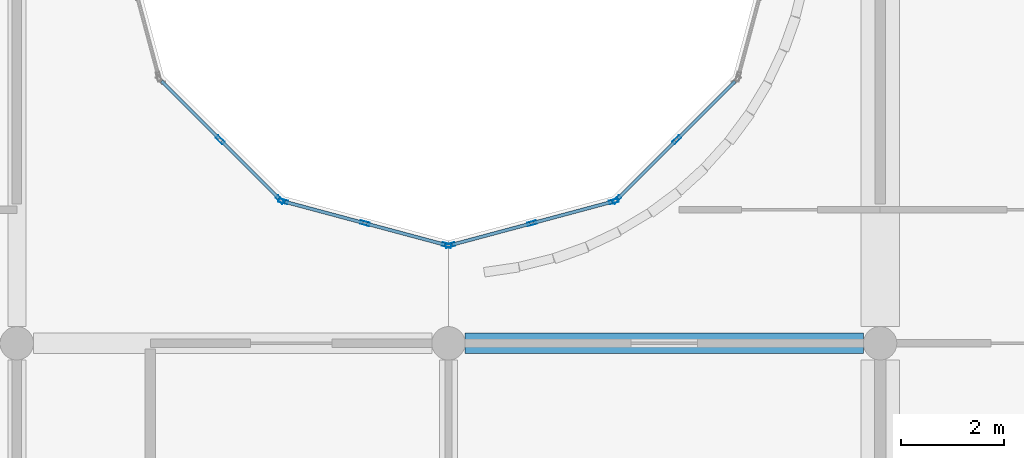
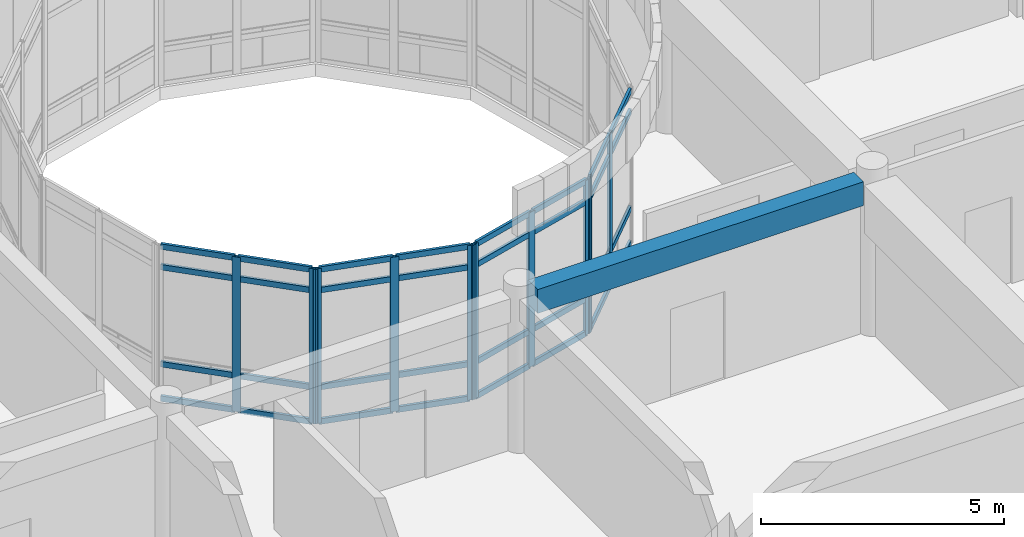
# One storey, part 15 of 119: 42 members, 1 beam, 4 elements without a shape of their own.
"""IFC4 building model written with IfcOpenShell, lengths in metres."""

from ifc_helpers import new_model, si_unit, direction, frame, origin, origin_2d, place, context, subcontext, project, spatial, rectangle, hollow_rectangle, extrude, material, layer, layer_set, material_profile, profile_set, type_object, element, aggregate, save


model = new_model("IFC4")

# Units and contexts
model_context = context("Model", 3, precision=1e-05, world=origin(), true_north=direction((0.0, 1.0)))
body_context = subcontext(model_context, "Body", "Model", "MODEL_VIEW")
ifc_project = project(units=[si_unit("LENGTHUNIT", "METRE"), si_unit("AREAUNIT", "SQUARE_METRE"), si_unit("VOLUMEUNIT", "CUBIC_METRE"), si_unit("PLANEANGLEUNIT", "RADIAN"), si_unit("MASSUNIT", "GRAM", prefix="KILO")], contexts=[model_context])

# Site, building, storey
site_placement = place(None, origin())
site = spatial("IfcSite", under=ifc_project, at=site_placement, CompositionType="ELEMENT")
building_placement = place(site_placement, origin())
building = spatial("IfcBuilding", under=site, at=building_placement, Name="Bramfleet General Hospital", CompositionType="ELEMENT")
storey_placement = place(building_placement, frame((0.0, 0.0, 14.39990234375)))
storey = spatial("IfcBuildingStorey", under=building, at=storey_placement, Name="L03", CompositionType="ELEMENT", Elevation=14.39990234375)

# Beam
ifc_material_1 = material(Name="Concrete C35/45", Category="concrete")
ifc_material_profile_1 = material_profile(ifc_material_1, rectangle(XDim=0.39990234375, YDim=0.60009765625, at=origin_2d()), Name="RC BM 600x400")
ifc_profile_set_1 = profile_set([ifc_material_profile_1], Name="Concrete C35/45")
beam_type = type_object("IfcBeamType", Name="BM-RC600", PredefinedType="BEAM", material=ifc_profile_set_1)
beam_placement = place(storey_placement, frame((117.925048828125, 58.800048828125, 3.60009765625), z_axis=(1.0, 0.0, 0.0), x_axis=(0.0, 1.0, 0.0)))
element("IfcBeam", 1, at=beam_placement, inside=storey, type_object=beam_type, Name="L03 Grid Beam X 14-07", PredefinedType="BEAM", context=body_context, shape_type="SweptSolid", body=[
    extrude(rectangle(XDim=0.39990234375, YDim=0.60009765625, at=origin_2d()), origin(), (0.0, 0.0, 1.0), 7.75),
])

# Curtain wall, members
ifc_material_2 = material(Name="Anodised aluminium and low-E triple glazing", Category="aluminium")
ifc_layer_1 = layer(ifc_material_2, 0.179931640625, Name="CWT-CW-18")
ifc_layer_set_1 = layer_set([ifc_layer_1], Name="Anodised aluminium and low-E triple glazing")
curtain_wall_type_1 = type_object("IfcCurtainWallType", Name="CWT-CW-18", PredefinedType="USERDEFINED", material=ifc_layer_set_1)
curtain_wall_1_placement = place(storey_placement, origin())
curtain_wall_1 = element("IfcCurtainWall", 2, at=curtain_wall_1_placement, inside=storey, type_object=curtain_wall_type_1, Name="L03 East Laboratory Light Court Curtain Wall 2.1", ObjectType="Stick curtain wall", PredefinedType="USERDEFINED")
ifc_material_3 = material(Name="Anodised aluminium EN AW-6060", Category="aluminium")
ifc_material_profile_2 = material_profile(ifc_material_3, hollow_rectangle(XDim=0.070068359375, YDim=0.179931640625, WallThickness=0.00390625, at=origin_2d()), Name="ALU 180x70x4.0")
ifc_profile_set_2 = profile_set([ifc_material_profile_2], Name="Anodised aluminium EN AW-6060")
member_type_1 = type_object("IfcMemberType", Name="CWM-ALU180", PredefinedType="MULLION", material=ifc_profile_set_2)
member_1_placement = place(storey_placement, frame((113.160400390625, 62.760498046875, 0.0), z_axis=(0.0, 0.0, 1.0), x_axis=(0.707106781187, 0.707106781187, 0.0)))
member_1 = element("IfcMember", 3, at=member_1_placement, type_object=member_type_1, Name="CW-18 mullion 2", PredefinedType="MULLION", context=body_context, shape_type="SweptSolid", body=[
    extrude(hollow_rectangle(XDim=0.070068359375, YDim=0.179931640625, WallThickness=0.00390625, at=origin_2d()), origin(), (0.0, 0.0, 1.0), 3.89013671875),
])
member_2_placement = place(storey_placement, frame((114.3251953125, 61.595703125, 0.0), z_axis=(0.0, 0.0, 1.0), x_axis=(0.707106781187, 0.707106781187, 0.0)))
member_2 = element("IfcMember", 4, at=member_2_placement, type_object=member_type_1, Name="CW-18 mullion 3", PredefinedType="MULLION", context=body_context, shape_type="SweptSolid", body=[
    extrude(hollow_rectangle(XDim=0.070068359375, YDim=0.179931640625, WallThickness=0.00390625, at=origin_2d()), origin(), (0.0, 0.0, 1.0), 3.89013671875),
])

ifc_layer_2 = layer(ifc_material_2, 0.179931640625, Name="CWT-CW-11")
ifc_layer_set_2 = layer_set([ifc_layer_2], Name="Anodised aluminium and low-E triple glazing")
curtain_wall_type_2 = type_object("IfcCurtainWallType", Name="CWT-CW-11", PredefinedType="USERDEFINED", material=ifc_layer_set_2)
curtain_wall_2_placement = place(storey_placement, origin())
curtain_wall_2 = element("IfcCurtainWall", 5, at=curtain_wall_2_placement, inside=storey, type_object=curtain_wall_type_2, Name="L03 East Laboratory Light Court Curtain Wall 3.1", ObjectType="Stick curtain wall", PredefinedType="USERDEFINED")
member_3_placement = place(storey_placement, frame((114.3837890625, 61.56201171875, 0.0), z_axis=(0.0, 0.0, 1.0), x_axis=(0.258864833085, 0.965913556273, 0.0)))
member_3 = element("IfcMember", 6, at=member_3_placement, type_object=member_type_1, Name="CW-11 mullion 1", PredefinedType="MULLION", context=body_context, shape_type="SweptSolid", body=[
    extrude(hollow_rectangle(XDim=0.070068359375, YDim=0.179931640625, WallThickness=0.00390625, at=origin_2d()), origin(), (0.0, 0.0, 1.0), 3.89013671875),
])
member_4_placement = place(storey_placement, frame((115.97509765625, 61.135498046875, 0.0), z_axis=(0.0, 0.0, 1.0), x_axis=(0.258864833085, 0.965913556273, 0.0)))
member_4 = element("IfcMember", 7, at=member_4_placement, type_object=member_type_1, Name="CW-11 mullion 2", PredefinedType="MULLION", context=body_context, shape_type="SweptSolid", body=[
    extrude(hollow_rectangle(XDim=0.070068359375, YDim=0.179931640625, WallThickness=0.00390625, at=origin_2d()), origin(), (0.0, 0.0, 1.0), 3.89013671875),
])
member_5_placement = place(storey_placement, frame((117.566162109375, 60.708984375, 0.0), z_axis=(0.0, 0.0, 1.0), x_axis=(0.258864833085, 0.965913556273, 0.0)))
member_5 = element("IfcMember", 8, at=member_5_placement, type_object=member_type_1, Name="CW-11 mullion 3", PredefinedType="MULLION", context=body_context, shape_type="SweptSolid", body=[
    extrude(hollow_rectangle(XDim=0.070068359375, YDim=0.179931640625, WallThickness=0.00390625, at=origin_2d()), origin(), (0.0, 0.0, 1.0), 3.89013671875),
])

ifc_layer_3 = layer(ifc_material_2, 0.179931640625, Name="CWT-CW-12")
ifc_layer_set_3 = layer_set([ifc_layer_3], Name="Anodised aluminium and low-E triple glazing")
curtain_wall_type_3 = type_object("IfcCurtainWallType", Name="CWT-CW-12", PredefinedType="USERDEFINED", material=ifc_layer_set_3)
curtain_wall_3_placement = place(storey_placement, origin())
curtain_wall_3 = element("IfcCurtainWall", 9, at=curtain_wall_3_placement, inside=storey, type_object=curtain_wall_type_3, Name="L03 East Laboratory Light Court Curtain Wall 4.1", ObjectType="Stick curtain wall", PredefinedType="USERDEFINED")
member_6_placement = place(storey_placement, frame((117.6337890625, 60.708984375, 0.0), z_axis=(0.0, 0.0, 1.0), x_axis=(-0.258864833085, 0.965913556273, 0.0)))
member_6 = element("IfcMember", 10, at=member_6_placement, type_object=member_type_1, Name="CW-12 mullion 1", PredefinedType="MULLION", context=body_context, shape_type="SweptSolid", body=[
    extrude(hollow_rectangle(XDim=0.070068359375, YDim=0.179931640625, WallThickness=0.00390625, at=origin_2d()), origin(), (0.0, 0.0, 1.0), 3.89013671875),
])
member_7_placement = place(storey_placement, frame((119.22509765625, 61.135498046875, 0.0), z_axis=(0.0, 0.0, 1.0), x_axis=(-0.258864833085, 0.965913556273, 0.0)))
member_7 = element("IfcMember", 11, at=member_7_placement, type_object=member_type_1, Name="CW-12 mullion 2", PredefinedType="MULLION", context=body_context, shape_type="SweptSolid", body=[
    extrude(hollow_rectangle(XDim=0.070068359375, YDim=0.179931640625, WallThickness=0.00390625, at=origin_2d()), origin(), (0.0, 0.0, 1.0), 3.89013671875),
])
member_8_placement = place(storey_placement, frame((120.816162109375, 61.56201171875, 0.0), z_axis=(0.0, 0.0, 1.0), x_axis=(-0.258864833085, 0.965913556273, 0.0)))
member_8 = element("IfcMember", 12, at=member_8_placement, type_object=member_type_1, Name="CW-12 mullion 3", PredefinedType="MULLION", context=body_context, shape_type="SweptSolid", body=[
    extrude(hollow_rectangle(XDim=0.070068359375, YDim=0.179931640625, WallThickness=0.00390625, at=origin_2d()), origin(), (0.0, 0.0, 1.0), 3.89013671875),
])

ifc_layer_4 = layer(ifc_material_2, 0.179931640625, Name="CWT-CW-13")
ifc_layer_set_4 = layer_set([ifc_layer_4], Name="Anodised aluminium and low-E triple glazing")
curtain_wall_type_4 = type_object("IfcCurtainWallType", Name="CWT-CW-13", PredefinedType="USERDEFINED", material=ifc_layer_set_4)
curtain_wall_4_placement = place(storey_placement, origin())
curtain_wall_4 = element("IfcCurtainWall", 13, at=curtain_wall_4_placement, inside=storey, type_object=curtain_wall_type_4, Name="L03 East Laboratory Light Court Curtain Wall 5.1", ObjectType="Stick curtain wall", PredefinedType="USERDEFINED")
member_9_placement = place(storey_placement, frame((120.874755859375, 61.595703125, 0.0), z_axis=(0.0, 0.0, 1.0), x_axis=(-0.707106781187, 0.707106781187, 0.0)))
member_9 = element("IfcMember", 14, at=member_9_placement, type_object=member_type_1, Name="CW-13 mullion 1", PredefinedType="MULLION", context=body_context, shape_type="SweptSolid", body=[
    extrude(hollow_rectangle(XDim=0.070068359375, YDim=0.179931640625, WallThickness=0.00390625, at=origin_2d()), origin(), (0.0, 0.0, 1.0), 3.89013671875),
])
member_10_placement = place(storey_placement, frame((122.03955078125, 62.760498046875, 0.0), z_axis=(0.0, 0.0, 1.0), x_axis=(-0.707106781187, 0.707106781187, 0.0)))
member_10 = element("IfcMember", 15, at=member_10_placement, type_object=member_type_1, Name="CW-13 mullion 2", PredefinedType="MULLION", context=body_context, shape_type="SweptSolid", body=[
    extrude(hollow_rectangle(XDim=0.070068359375, YDim=0.179931640625, WallThickness=0.00390625, at=origin_2d()), origin(), (0.0, 0.0, 1.0), 3.89013671875),
])

# Member
ifc_material_profile_3 = material_profile(ifc_material_3, hollow_rectangle(XDim=0.06494140625, YDim=0.139892578125, WallThickness=0.00390625, at=origin_2d()), Name="ALU 140x65x4.0")
ifc_profile_set_3 = profile_set([ifc_material_profile_3], Name="Anodised aluminium EN AW-6060")
member_type_2 = type_object("IfcMemberType", Name="CWT-ALU140", PredefinedType="USERDEFINED", material=ifc_profile_set_3)
member_11_placement = place(storey_placement, frame((112.0205078125, 63.900390625, 0.03271484375), z_axis=(0.707106781187, -0.707106781187, 0.0), x_axis=(0.707106781187, 0.707106781187, 0.0)))
member_11 = element("IfcMember", 16, at=member_11_placement, type_object=member_type_2, Name="CW-18 transom 1.1", ObjectType="TRANSOM", PredefinedType="USERDEFINED", context=body_context, shape_type="SweptSolid", body=[
    extrude(hollow_rectangle(XDim=0.06494140625, YDim=0.139892578125, WallThickness=0.00390625, at=origin_2d()), origin(), (0.0, 0.0, 1.0), 1.5771484375),
])

member_12_placement = place(storey_placement, frame((112.0205078125, 63.900390625, 0.900146484375), z_axis=(0.707106781187, -0.707106781187, 0.0), x_axis=(0.707106781187, 0.707106781187, 0.0)))
member_12 = element("IfcMember", 17, at=member_12_placement, type_object=member_type_2, Name="CW-18 transom 1.2", ObjectType="TRANSOM", PredefinedType="USERDEFINED", context=body_context, shape_type="SweptSolid", body=[
    extrude(hollow_rectangle(XDim=0.06494140625, YDim=0.139892578125, WallThickness=0.00390625, at=origin_2d()), origin(), (0.0, 0.0, 1.0), 1.5771484375),
])

member_13_placement = place(storey_placement, frame((112.0205078125, 63.900390625, 3.340087890625), z_axis=(0.707106781187, -0.707106781187, 0.0), x_axis=(0.707106781187, 0.707106781187, 0.0)))
member_13 = element("IfcMember", 18, at=member_13_placement, type_object=member_type_2, Name="CW-18 transom 1.3", ObjectType="TRANSOM", PredefinedType="USERDEFINED", context=body_context, shape_type="SweptSolid", body=[
    extrude(hollow_rectangle(XDim=0.06494140625, YDim=0.139892578125, WallThickness=0.00390625, at=origin_2d()), origin(), (0.0, 0.0, 1.0), 1.5771484375),
])

member_14_placement = place(storey_placement, frame((112.0205078125, 63.900390625, 3.857666015625), z_axis=(0.707106781187, -0.707106781187, 0.0), x_axis=(0.707106781187, 0.707106781187, 0.0)))
member_14 = element("IfcMember", 19, at=member_14_placement, type_object=member_type_2, Name="CW-18 transom 1.4", ObjectType="TRANSOM", PredefinedType="USERDEFINED", context=body_context, shape_type="SweptSolid", body=[
    extrude(hollow_rectangle(XDim=0.06494140625, YDim=0.139892578125, WallThickness=0.00390625, at=origin_2d()), origin(), (0.0, 0.0, 1.0), 1.5771484375),
])

member_15_placement = place(storey_placement, frame((113.185302734375, 62.73583984375, 0.03271484375), z_axis=(0.707106781187, -0.707106781187, 0.0), x_axis=(0.707106781187, 0.707106781187, 0.0)))
member_15 = element("IfcMember", 20, at=member_15_placement, type_object=member_type_2, Name="CW-18 transom 2.1", ObjectType="TRANSOM", PredefinedType="USERDEFINED", context=body_context, shape_type="SweptSolid", body=[
    extrude(hollow_rectangle(XDim=0.06494140625, YDim=0.139892578125, WallThickness=0.00390625, at=origin_2d()), origin(), (0.0, 0.0, 1.0), 1.5771484375),
])

member_16_placement = place(storey_placement, frame((113.185302734375, 62.73583984375, 0.900146484375), z_axis=(0.707106781187, -0.707106781187, 0.0), x_axis=(0.707106781187, 0.707106781187, 0.0)))
member_16 = element("IfcMember", 21, at=member_16_placement, type_object=member_type_2, Name="CW-18 transom 2.2", ObjectType="TRANSOM", PredefinedType="USERDEFINED", context=body_context, shape_type="SweptSolid", body=[
    extrude(hollow_rectangle(XDim=0.06494140625, YDim=0.139892578125, WallThickness=0.00390625, at=origin_2d()), origin(), (0.0, 0.0, 1.0), 1.5771484375),
])

member_17_placement = place(storey_placement, frame((113.185302734375, 62.73583984375, 3.340087890625), z_axis=(0.707106781187, -0.707106781187, 0.0), x_axis=(0.707106781187, 0.707106781187, 0.0)))
member_17 = element("IfcMember", 22, at=member_17_placement, type_object=member_type_2, Name="CW-18 transom 2.3", ObjectType="TRANSOM", PredefinedType="USERDEFINED", context=body_context, shape_type="SweptSolid", body=[
    extrude(hollow_rectangle(XDim=0.06494140625, YDim=0.139892578125, WallThickness=0.00390625, at=origin_2d()), origin(), (0.0, 0.0, 1.0), 1.5771484375),
])

member_18_placement = place(storey_placement, frame((113.185302734375, 62.73583984375, 3.857666015625), z_axis=(0.707106781187, -0.707106781187, 0.0), x_axis=(0.707106781187, 0.707106781187, 0.0)))
member_18 = element("IfcMember", 23, at=member_18_placement, type_object=member_type_2, Name="CW-18 transom 2.4", ObjectType="TRANSOM", PredefinedType="USERDEFINED", context=body_context, shape_type="SweptSolid", body=[
    extrude(hollow_rectangle(XDim=0.06494140625, YDim=0.139892578125, WallThickness=0.00390625, at=origin_2d()), origin(), (0.0, 0.0, 1.0), 1.5771484375),
])

aggregate(curtain_wall_1, [member_1, member_2, member_11, member_12, member_13, member_14, member_15, member_16, member_17, member_18])

member_19_placement = place(storey_placement, frame((114.417724609375, 61.552978515625, 0.03271484375), z_axis=(0.965887232725, -0.258963035312, 0.0), x_axis=(0.258963035312, 0.965887232725, 0.0)))
member_19 = element("IfcMember", 24, at=member_19_placement, type_object=member_type_2, Name="CW-11 transom 1.1", ObjectType="TRANSOM", PredefinedType="USERDEFINED", context=body_context, shape_type="SweptSolid", body=[
    extrude(hollow_rectangle(XDim=0.06494140625, YDim=0.139892578125, WallThickness=0.00390625, at=origin_2d()), origin(), (0.0, 0.0, 1.0), 1.5771484375),
])

member_20_placement = place(storey_placement, frame((114.417724609375, 61.552978515625, 0.900146484375), z_axis=(0.965887232725, -0.258963035312, 0.0), x_axis=(0.258963035312, 0.965887232725, 0.0)))
member_20 = element("IfcMember", 25, at=member_20_placement, type_object=member_type_2, Name="CW-11 transom 1.2", ObjectType="TRANSOM", PredefinedType="USERDEFINED", context=body_context, shape_type="SweptSolid", body=[
    extrude(hollow_rectangle(XDim=0.06494140625, YDim=0.139892578125, WallThickness=0.00390625, at=origin_2d()), origin(), (0.0, 0.0, 1.0), 1.5771484375),
])

member_21_placement = place(storey_placement, frame((114.417724609375, 61.552978515625, 3.340087890625), z_axis=(0.965887232725, -0.258963035312, 0.0), x_axis=(0.258963035312, 0.965887232725, 0.0)))
member_21 = element("IfcMember", 26, at=member_21_placement, type_object=member_type_2, Name="CW-11 transom 1.3", ObjectType="TRANSOM", PredefinedType="USERDEFINED", context=body_context, shape_type="SweptSolid", body=[
    extrude(hollow_rectangle(XDim=0.06494140625, YDim=0.139892578125, WallThickness=0.00390625, at=origin_2d()), origin(), (0.0, 0.0, 1.0), 1.5771484375),
])

member_22_placement = place(storey_placement, frame((114.417724609375, 61.552978515625, 3.857666015625), z_axis=(0.965887232725, -0.258963035312, 0.0), x_axis=(0.258963035312, 0.965887232725, 0.0)))
member_22 = element("IfcMember", 27, at=member_22_placement, type_object=member_type_2, Name="CW-11 transom 1.4", ObjectType="TRANSOM", PredefinedType="USERDEFINED", context=body_context, shape_type="SweptSolid", body=[
    extrude(hollow_rectangle(XDim=0.06494140625, YDim=0.139892578125, WallThickness=0.00390625, at=origin_2d()), origin(), (0.0, 0.0, 1.0), 1.5771484375),
])

member_23_placement = place(storey_placement, frame((116.0087890625, 61.12646484375, 0.03271484375), z_axis=(0.965897610877, -0.258924323505, 0.0), x_axis=(0.258924323505, 0.965897610877, 0.0)))
member_23 = element("IfcMember", 28, at=member_23_placement, type_object=member_type_2, Name="CW-11 transom 2.1", ObjectType="TRANSOM", PredefinedType="USERDEFINED", context=body_context, shape_type="SweptSolid", body=[
    extrude(hollow_rectangle(XDim=0.06494140625, YDim=0.139892578125, WallThickness=0.00390625, at=origin_2d()), origin(), (0.0, 0.0, 1.0), 1.577392578125),
])

member_24_placement = place(storey_placement, frame((116.0087890625, 61.12646484375, 0.900146484375), z_axis=(0.965897610877, -0.258924323505, 0.0), x_axis=(0.258924323505, 0.965897610877, 0.0)))
member_24 = element("IfcMember", 29, at=member_24_placement, type_object=member_type_2, Name="CW-11 transom 2.2", ObjectType="TRANSOM", PredefinedType="USERDEFINED", context=body_context, shape_type="SweptSolid", body=[
    extrude(hollow_rectangle(XDim=0.06494140625, YDim=0.139892578125, WallThickness=0.00390625, at=origin_2d()), origin(), (0.0, 0.0, 1.0), 1.577392578125),
])

member_25_placement = place(storey_placement, frame((116.0087890625, 61.12646484375, 3.340087890625), z_axis=(0.965897610877, -0.258924323505, 0.0), x_axis=(0.258924323505, 0.965897610877, 0.0)))
member_25 = element("IfcMember", 30, at=member_25_placement, type_object=member_type_2, Name="CW-11 transom 2.3", ObjectType="TRANSOM", PredefinedType="USERDEFINED", context=body_context, shape_type="SweptSolid", body=[
    extrude(hollow_rectangle(XDim=0.06494140625, YDim=0.139892578125, WallThickness=0.00390625, at=origin_2d()), origin(), (0.0, 0.0, 1.0), 1.577392578125),
])

member_26_placement = place(storey_placement, frame((116.0087890625, 61.12646484375, 3.857666015625), z_axis=(0.965897610877, -0.258924323505, 0.0), x_axis=(0.258924323505, 0.965897610877, 0.0)))
member_26 = element("IfcMember", 31, at=member_26_placement, type_object=member_type_2, Name="CW-11 transom 2.4", ObjectType="TRANSOM", PredefinedType="USERDEFINED", context=body_context, shape_type="SweptSolid", body=[
    extrude(hollow_rectangle(XDim=0.06494140625, YDim=0.139892578125, WallThickness=0.00390625, at=origin_2d()), origin(), (0.0, 0.0, 1.0), 1.577392578125),
])

aggregate(curtain_wall_2, [member_3, member_4, member_5, member_19, member_20, member_21, member_22, member_23, member_24, member_25, member_26])

member_27_placement = place(storey_placement, frame((117.667724609375, 60.718017578125, 0.03271484375), z_axis=(0.965887232725, 0.258963035312, 0.0), x_axis=(-0.258963035312, 0.965887232725, 0.0)))
member_27 = element("IfcMember", 32, at=member_27_placement, type_object=member_type_2, Name="CW-12 transom 1.1", ObjectType="TRANSOM", PredefinedType="USERDEFINED", context=body_context, shape_type="SweptSolid", body=[
    extrude(hollow_rectangle(XDim=0.06494140625, YDim=0.139892578125, WallThickness=0.00390625, at=origin_2d()), origin(), (0.0, 0.0, 1.0), 1.5771484375),
])

member_28_placement = place(storey_placement, frame((117.667724609375, 60.718017578125, 0.900146484375), z_axis=(0.965887232725, 0.258963035312, 0.0), x_axis=(-0.258963035312, 0.965887232725, 0.0)))
member_28 = element("IfcMember", 33, at=member_28_placement, type_object=member_type_2, Name="CW-12 transom 1.2", ObjectType="TRANSOM", PredefinedType="USERDEFINED", context=body_context, shape_type="SweptSolid", body=[
    extrude(hollow_rectangle(XDim=0.06494140625, YDim=0.139892578125, WallThickness=0.00390625, at=origin_2d()), origin(), (0.0, 0.0, 1.0), 1.5771484375),
])

member_29_placement = place(storey_placement, frame((117.667724609375, 60.718017578125, 3.340087890625), z_axis=(0.965887232725, 0.258963035312, 0.0), x_axis=(-0.258963035312, 0.965887232725, 0.0)))
member_29 = element("IfcMember", 34, at=member_29_placement, type_object=member_type_2, Name="CW-12 transom 1.3", ObjectType="TRANSOM", PredefinedType="USERDEFINED", context=body_context, shape_type="SweptSolid", body=[
    extrude(hollow_rectangle(XDim=0.06494140625, YDim=0.139892578125, WallThickness=0.00390625, at=origin_2d()), origin(), (0.0, 0.0, 1.0), 1.5771484375),
])

member_30_placement = place(storey_placement, frame((117.667724609375, 60.718017578125, 3.857666015625), z_axis=(0.965887232725, 0.258963035312, 0.0), x_axis=(-0.258963035312, 0.965887232725, 0.0)))
member_30 = element("IfcMember", 35, at=member_30_placement, type_object=member_type_2, Name="CW-12 transom 1.4", ObjectType="TRANSOM", PredefinedType="USERDEFINED", context=body_context, shape_type="SweptSolid", body=[
    extrude(hollow_rectangle(XDim=0.06494140625, YDim=0.139892578125, WallThickness=0.00390625, at=origin_2d()), origin(), (0.0, 0.0, 1.0), 1.5771484375),
])

member_31_placement = place(storey_placement, frame((119.2587890625, 61.14453125, 0.03271484375), z_axis=(0.965897610877, 0.258924323505, 0.0), x_axis=(-0.258924323505, 0.965897610877, 0.0)))
member_31 = element("IfcMember", 36, at=member_31_placement, type_object=member_type_2, Name="CW-12 transom 2.1", ObjectType="TRANSOM", PredefinedType="USERDEFINED", context=body_context, shape_type="SweptSolid", body=[
    extrude(hollow_rectangle(XDim=0.06494140625, YDim=0.139892578125, WallThickness=0.00390625, at=origin_2d()), origin(), (0.0, 0.0, 1.0), 1.577392578125),
])

member_32_placement = place(storey_placement, frame((119.2587890625, 61.14453125, 0.900146484375), z_axis=(0.965897610877, 0.258924323505, 0.0), x_axis=(-0.258924323505, 0.965897610877, 0.0)))
member_32 = element("IfcMember", 37, at=member_32_placement, type_object=member_type_2, Name="CW-12 transom 2.2", ObjectType="TRANSOM", PredefinedType="USERDEFINED", context=body_context, shape_type="SweptSolid", body=[
    extrude(hollow_rectangle(XDim=0.06494140625, YDim=0.139892578125, WallThickness=0.00390625, at=origin_2d()), origin(), (0.0, 0.0, 1.0), 1.577392578125),
])

member_33_placement = place(storey_placement, frame((119.2587890625, 61.14453125, 3.340087890625), z_axis=(0.965897610877, 0.258924323505, 0.0), x_axis=(-0.258924323505, 0.965897610877, 0.0)))
member_33 = element("IfcMember", 38, at=member_33_placement, type_object=member_type_2, Name="CW-12 transom 2.3", ObjectType="TRANSOM", PredefinedType="USERDEFINED", context=body_context, shape_type="SweptSolid", body=[
    extrude(hollow_rectangle(XDim=0.06494140625, YDim=0.139892578125, WallThickness=0.00390625, at=origin_2d()), origin(), (0.0, 0.0, 1.0), 1.577392578125),
])

member_34_placement = place(storey_placement, frame((119.2587890625, 61.14453125, 3.857666015625), z_axis=(0.965897610877, 0.258924323505, 0.0), x_axis=(-0.258924323505, 0.965897610877, 0.0)))
member_34 = element("IfcMember", 39, at=member_34_placement, type_object=member_type_2, Name="CW-12 transom 2.4", ObjectType="TRANSOM", PredefinedType="USERDEFINED", context=body_context, shape_type="SweptSolid", body=[
    extrude(hollow_rectangle(XDim=0.06494140625, YDim=0.139892578125, WallThickness=0.00390625, at=origin_2d()), origin(), (0.0, 0.0, 1.0), 1.577392578125),
])

aggregate(curtain_wall_3, [member_6, member_7, member_8, member_27, member_28, member_29, member_30, member_31, member_32, member_33, member_34])

member_35_placement = place(storey_placement, frame((120.8994140625, 61.62060546875, 0.03271484375), z_axis=(0.707106781187, 0.707106781187, 0.0), x_axis=(-0.707106781187, 0.707106781187, 0.0)))
member_35 = element("IfcMember", 40, at=member_35_placement, type_object=member_type_2, Name="CW-13 transom 1.1", ObjectType="TRANSOM", PredefinedType="USERDEFINED", context=body_context, shape_type="SweptSolid", body=[
    extrude(hollow_rectangle(XDim=0.06494140625, YDim=0.139892578125, WallThickness=0.00390625, at=origin_2d()), origin(), (0.0, 0.0, 1.0), 1.5771484375),
])

member_36_placement = place(storey_placement, frame((120.8994140625, 61.62060546875, 0.900146484375), z_axis=(0.707106781187, 0.707106781187, 0.0), x_axis=(-0.707106781187, 0.707106781187, 0.0)))
member_36 = element("IfcMember", 41, at=member_36_placement, type_object=member_type_2, Name="CW-13 transom 1.2", ObjectType="TRANSOM", PredefinedType="USERDEFINED", context=body_context, shape_type="SweptSolid", body=[
    extrude(hollow_rectangle(XDim=0.06494140625, YDim=0.139892578125, WallThickness=0.00390625, at=origin_2d()), origin(), (0.0, 0.0, 1.0), 1.5771484375),
])

member_37_placement = place(storey_placement, frame((120.8994140625, 61.62060546875, 3.340087890625), z_axis=(0.707106781187, 0.707106781187, 0.0), x_axis=(-0.707106781187, 0.707106781187, 0.0)))
member_37 = element("IfcMember", 42, at=member_37_placement, type_object=member_type_2, Name="CW-13 transom 1.3", ObjectType="TRANSOM", PredefinedType="USERDEFINED", context=body_context, shape_type="SweptSolid", body=[
    extrude(hollow_rectangle(XDim=0.06494140625, YDim=0.139892578125, WallThickness=0.00390625, at=origin_2d()), origin(), (0.0, 0.0, 1.0), 1.5771484375),
])

member_38_placement = place(storey_placement, frame((120.8994140625, 61.62060546875, 3.857666015625), z_axis=(0.707106781187, 0.707106781187, 0.0), x_axis=(-0.707106781187, 0.707106781187, 0.0)))
member_38 = element("IfcMember", 43, at=member_38_placement, type_object=member_type_2, Name="CW-13 transom 1.4", ObjectType="TRANSOM", PredefinedType="USERDEFINED", context=body_context, shape_type="SweptSolid", body=[
    extrude(hollow_rectangle(XDim=0.06494140625, YDim=0.139892578125, WallThickness=0.00390625, at=origin_2d()), origin(), (0.0, 0.0, 1.0), 1.5771484375),
])

member_39_placement = place(storey_placement, frame((122.064208984375, 62.78515625, 0.03271484375), z_axis=(0.707106781187, 0.707106781187, 0.0), x_axis=(-0.707106781187, 0.707106781187, 0.0)))
member_39 = element("IfcMember", 44, at=member_39_placement, type_object=member_type_2, Name="CW-13 transom 2.1", ObjectType="TRANSOM", PredefinedType="USERDEFINED", context=body_context, shape_type="SweptSolid", body=[
    extrude(hollow_rectangle(XDim=0.06494140625, YDim=0.139892578125, WallThickness=0.00390625, at=origin_2d()), origin(), (0.0, 0.0, 1.0), 1.5771484375),
])

member_40_placement = place(storey_placement, frame((122.064208984375, 62.78515625, 0.900146484375), z_axis=(0.707106781187, 0.707106781187, 0.0), x_axis=(-0.707106781187, 0.707106781187, 0.0)))
member_40 = element("IfcMember", 45, at=member_40_placement, type_object=member_type_2, Name="CW-13 transom 2.2", ObjectType="TRANSOM", PredefinedType="USERDEFINED", context=body_context, shape_type="SweptSolid", body=[
    extrude(hollow_rectangle(XDim=0.06494140625, YDim=0.139892578125, WallThickness=0.00390625, at=origin_2d()), origin(), (0.0, 0.0, 1.0), 1.5771484375),
])

member_41_placement = place(storey_placement, frame((122.064208984375, 62.78515625, 3.340087890625), z_axis=(0.707106781187, 0.707106781187, 0.0), x_axis=(-0.707106781187, 0.707106781187, 0.0)))
member_41 = element("IfcMember", 46, at=member_41_placement, type_object=member_type_2, Name="CW-13 transom 2.3", ObjectType="TRANSOM", PredefinedType="USERDEFINED", context=body_context, shape_type="SweptSolid", body=[
    extrude(hollow_rectangle(XDim=0.06494140625, YDim=0.139892578125, WallThickness=0.00390625, at=origin_2d()), origin(), (0.0, 0.0, 1.0), 1.5771484375),
])

member_42_placement = place(storey_placement, frame((122.064208984375, 62.78515625, 3.857666015625), z_axis=(0.707106781187, 0.707106781187, 0.0), x_axis=(-0.707106781187, 0.707106781187, 0.0)))
member_42 = element("IfcMember", 47, at=member_42_placement, type_object=member_type_2, Name="CW-13 transom 2.4", ObjectType="TRANSOM", PredefinedType="USERDEFINED", context=body_context, shape_type="SweptSolid", body=[
    extrude(hollow_rectangle(XDim=0.06494140625, YDim=0.139892578125, WallThickness=0.00390625, at=origin_2d()), origin(), (0.0, 0.0, 1.0), 1.5771484375),
])

aggregate(curtain_wall_4, [member_9, member_10, member_35, member_36, member_37, member_38, member_39, member_40, member_41, member_42])

save(model, "model.ifc")
